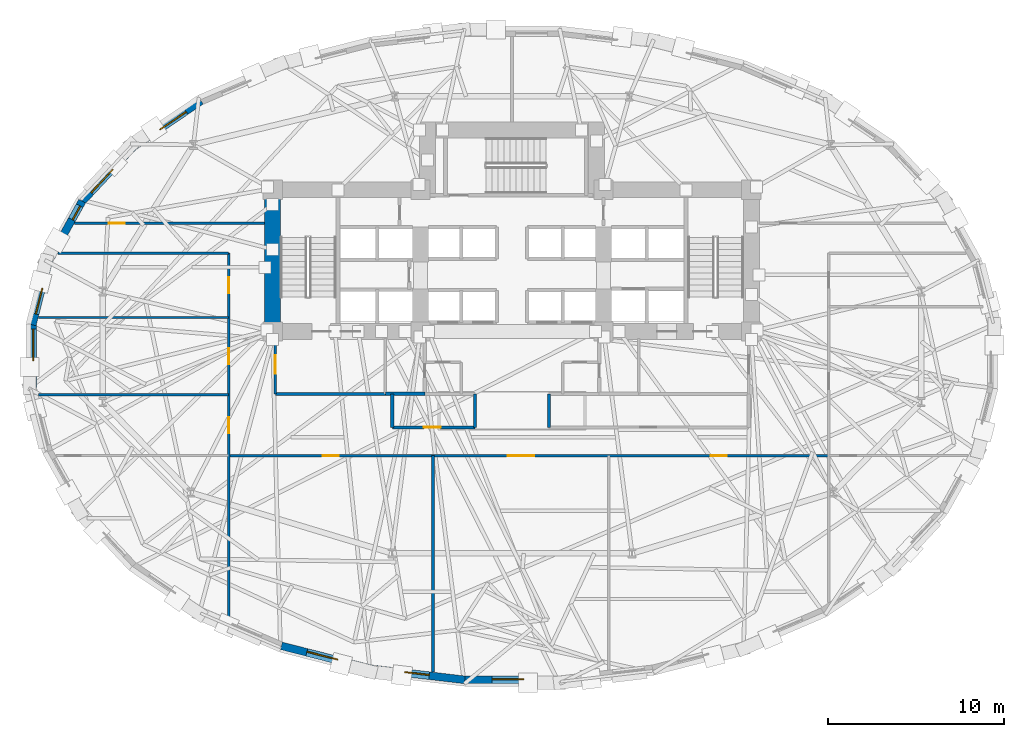
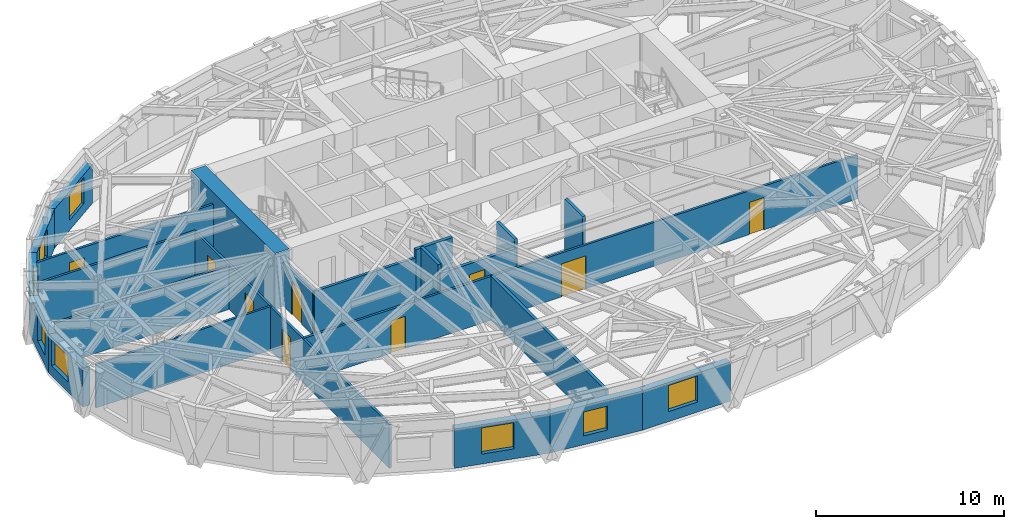
# One storey, part 6 of 14: 23 walls, 9 doors, 8 windows, 17 openings.
"""IFC4 building model written with IfcOpenShell, lengths in metres."""

from ifc_helpers import new_model, si_unit, direction, frame, frame_2d, origin, place, context, subcontext, project, spatial, rectangle, extrude, material, layer, layer_set, type_object, element, fill, save


model = new_model("IFC4")

# Units and contexts
model_context = context("Model", 3, precision=1e-05, world=origin(), true_north=direction((0.0, 1.0)))
body_context = subcontext(model_context, "Body", "Model", "MODEL_VIEW")
ifc_project = project(units=[si_unit("LENGTHUNIT", "METRE"), si_unit("AREAUNIT", "SQUARE_METRE"), si_unit("VOLUMEUNIT", "CUBIC_METRE"), si_unit("PLANEANGLEUNIT", "RADIAN"), si_unit("MASSUNIT", "GRAM", prefix="KILO")], contexts=[model_context])

# Site, building, storey
site_placement = place(None, origin())
site = spatial("IfcSite", under=ifc_project, at=site_placement, CompositionType="ELEMENT")
building_placement = place(site_placement, origin())
building = spatial("IfcBuilding", under=site, at=building_placement, Name="Keldmark Tower", CompositionType="ELEMENT")
storey_placement = place(building_placement, frame((0.0, 0.0, 48.60009765625)))
storey = spatial("IfcBuildingStorey", under=building, at=storey_placement, Name="L12", CompositionType="ELEMENT", Elevation=48.60009765625)

# Wall, openings, doors
ifc_material_1 = material(Name="Acoustic Double-Layer Gypsum Corridor Partition", Category="gypsum")
ifc_layer_1 = layer(ifc_material_1, 0.139892578125)
ifc_layer_set_1 = layer_set([ifc_layer_1], Name="Acoustic Double-Layer Gypsum Corridor Partition")
wall_type_1 = type_object("IfcWallType", Name="Acoustic Corridor Partition 140 mm", PredefinedType="PARTITIONING", material=ifc_layer_set_1)
wall_1_placement = place(storey_placement, frame((-16.10009765625, -5.64990234375, 0.0), z_axis=(0.0, 0.0, 1.0), x_axis=(1.0, 0.0, 0.0)))
wall_1 = element("IfcWall", 1, at=wall_1_placement, inside=storey, type_object=wall_type_1, Name="L12 Acoustic Corridor Partition 140 mm COR-S", PredefinedType="PARTITIONING", context=body_context, shape_type="SweptSolid", body=[
    extrude(rectangle(XDim=34.10009765625, YDim=0.139892578125, at=frame_2d((17.050048828125, 0.0))), origin(), (0.0, 0.0, 1.0), 2.852783203125),
])
opening_1_placement = place(wall_1_placement, frame((5.35009765625, 0.0, 0.0)))
opening_1 = element("IfcOpeningElement", 2, at=opening_1_placement, cuts=wall_1, Name="Opening D-IN090", PredefinedType="OPENING", context=body_context, shape_type="SweptSolid", body=[
    extrude(rectangle(XDim=0.89990234375, YDim=2.10009765625, at=frame_2d((0.449951171875, 1.050048828125))), frame((0.0, 0.079833984375, 0.0), z_axis=(0.0, -1.0, 0.0), x_axis=(1.0, 0.0, 0.0)), (0.0, 0.0, 1.0), 0.159912109375),
])
opening_2_placement = place(wall_1_placement, frame((15.85009765625, 0.0, 0.0)))
opening_2 = element("IfcOpeningElement", 3, at=opening_2_placement, cuts=wall_1, Name="Opening D-CF150", PredefinedType="OPENING", context=body_context, shape_type="SweptSolid", body=[
    extrude(rectangle(XDim=1.5, YDim=2.14990234375, at=frame_2d((0.75, 1.074951171875))), frame((0.0, 0.079833984375, 0.0), z_axis=(0.0, -1.0, 0.0), x_axis=(1.0, 0.0, 0.0)), (0.0, 0.0, 1.0), 0.159912109375),
])
opening_3_placement = place(wall_1_placement, frame((27.39990234375, 0.0, 0.0)))
opening_3 = element("IfcOpeningElement", 4, at=opening_3_placement, cuts=wall_1, Name="Opening D-IN090", PredefinedType="OPENING", context=body_context, shape_type="SweptSolid", body=[
    extrude(rectangle(XDim=0.89990234375, YDim=2.10009765625, at=frame_2d((0.449951171875, 1.050048828125))), frame((0.0, 0.079833984375, 0.0), z_axis=(0.0, -1.0, 0.0), x_axis=(1.0, 0.0, 0.0)), (0.0, 0.0, 1.0), 0.159912109375),
])
ifc_material_2 = material(Name="Acoustic Timber and Tempered Glass Double Door", Category="wood")
door_type_1 = type_object("IfcDoorType", Name="Conference Double Door 1500x2150", OperationType="DOUBLE_DOOR_SINGLE_SWING", PredefinedType="DOOR", material=ifc_material_2)
door_1_placement = place(opening_2_placement, origin())
door_1 = element("IfcDoor", 5, at=door_1_placement, inside=storey, type_object=door_type_1, Name="L12 Conference Double Door 1500x2150 D-SR-2-L12", OperationType="DOUBLE_DOOR_SINGLE_SWING", OverallHeight=2.14990234375, OverallWidth=1.5, PredefinedType="DOOR", context=body_context, shape_type="SweptSolid", body=[
    extrude(rectangle(XDim=1.5, YDim=2.14990234375, at=frame_2d((0.75, 1.074951171875))), frame((0.0, 0.02490234375, 0.0), z_axis=(0.0, -1.0, 0.0), x_axis=(1.0, 0.0, 0.0)), (0.0, 0.0, 1.0), 0.050048828125),
])
fill(opening_2, door_1)
ifc_material_3 = material(Name="Stained American White Oak Veneer", Category="wood")
door_type_2 = type_object("IfcDoorType", Name="Interior Door 900x2100", OperationType="NOTDEFINED", PredefinedType="DOOR", material=ifc_material_3)
door_2_placement = place(opening_1_placement, origin())
door_2 = element("IfcDoor", 6, at=door_2_placement, inside=storey, type_object=door_type_2, Name="L12 Interior Door 900x2100 D-SR-1-L12", OperationType="SINGLE_SWING_LEFT", OverallHeight=2.10009765625, OverallWidth=0.89990234375, PredefinedType="DOOR", context=body_context, shape_type="SweptSolid", body=[
    extrude(rectangle(XDim=0.89990234375, YDim=2.10009765625, at=frame_2d((0.449951171875, 1.050048828125))), frame((0.0, 0.02490234375, 0.0), z_axis=(0.0, -1.0, 0.0), x_axis=(1.0, 0.0, 0.0)), (0.0, 0.0, 1.0), 0.050048828125),
])
fill(opening_1, door_2)
door_3_placement = place(opening_3_placement, origin())
door_3 = element("IfcDoor", 7, at=door_3_placement, inside=storey, type_object=door_type_2, Name="L12 Interior Door 900x2100 D-SR-3-L12", OperationType="SINGLE_SWING_LEFT", OverallHeight=2.10009765625, OverallWidth=0.89990234375, PredefinedType="DOOR", context=body_context, shape_type="SweptSolid", body=[
    extrude(rectangle(XDim=0.89990234375, YDim=2.10009765625, at=frame_2d((0.449951171875, 1.050048828125))), frame((0.0, 0.02490234375, 0.0), z_axis=(0.0, -1.0, 0.0), x_axis=(1.0, 0.0, 0.0)), (0.0, 0.0, 1.0), 0.050048828125),
])
fill(opening_3, door_3)

wall_2_placement = place(storey_placement, frame((-16.10009765625, -14.922119140625, 0.0), z_axis=(0.0, 0.0, 1.0), x_axis=(0.0, 1.0, 0.0)))
wall_2 = element("IfcWall", 8, at=wall_2_placement, inside=storey, type_object=wall_type_1, Name="L12 Acoustic Corridor Partition 140 mm COR-W", PredefinedType="PARTITIONING", context=body_context, shape_type="SweptSolid", body=[
    extrude(rectangle(XDim=20.772216796875, YDim=0.139892578125, at=frame_2d((10.38623046875, 0.0))), origin(), (0.0, 0.0, 1.0), 2.8408203125),
])
opening_4_placement = place(wall_2_placement, frame((10.54736328125, 0.0, 0.0)))
opening_4 = element("IfcOpeningElement", 9, at=opening_4_placement, cuts=wall_2, Name="Opening D-IN090", PredefinedType="OPENING", context=body_context, shape_type="SweptSolid", body=[
    extrude(rectangle(XDim=0.89990234375, YDim=2.10009765625, at=frame_2d((0.449951171875, 1.050048828125))), frame((0.0, 0.079833984375, 0.0), z_axis=(0.0, -1.0, 0.0), x_axis=(1.0, 0.0, 0.0)), (0.0, 0.0, 1.0), 0.159912109375),
])
opening_5_placement = place(wall_2_placement, frame((14.472412109375, 0.0, 0.0)))
opening_5 = element("IfcOpeningElement", 10, at=opening_5_placement, cuts=wall_2, Name="Opening D-IN090", PredefinedType="OPENING", context=body_context, shape_type="SweptSolid", body=[
    extrude(rectangle(XDim=0.89990234375, YDim=2.10009765625, at=frame_2d((0.449951171875, 1.050048828125))), frame((0.0, 0.079833984375, 0.0), z_axis=(0.0, -1.0, 0.0), x_axis=(1.0, 0.0, 0.0)), (0.0, 0.0, 1.0), 0.159912109375),
])
opening_6_placement = place(wall_2_placement, frame((18.497314453125, 0.0, 0.0)))
opening_6 = element("IfcOpeningElement", 11, at=opening_6_placement, cuts=wall_2, Name="Opening D-IN090", PredefinedType="OPENING", context=body_context, shape_type="SweptSolid", body=[
    extrude(rectangle(XDim=0.89990234375, YDim=2.10009765625, at=frame_2d((0.449951171875, 1.050048828125))), frame((0.0, 0.079833984375, 0.0), z_axis=(0.0, -1.0, 0.0), x_axis=(1.0, 0.0, 0.0)), (0.0, 0.0, 1.0), 0.159912109375),
])
door_4_placement = place(opening_4_placement, origin())
door_4 = element("IfcDoor", 12, at=door_4_placement, inside=storey, type_object=door_type_2, Name="L12 Interior Door 900x2100 D-WR-1-L12", OperationType="SINGLE_SWING_RIGHT", OverallHeight=2.10009765625, OverallWidth=0.89990234375, PredefinedType="DOOR", context=body_context, shape_type="SweptSolid", body=[
    extrude(rectangle(XDim=0.89990234375, YDim=2.10009765625, at=frame_2d((0.449951171875, 1.050048828125))), frame((0.0, 0.02490234375, 0.0), z_axis=(0.0, -1.0, 0.0), x_axis=(1.0, 0.0, 0.0)), (0.0, 0.0, 1.0), 0.050048828125),
])
fill(opening_4, door_4)
door_5_placement = place(opening_5_placement, origin())
door_5 = element("IfcDoor", 13, at=door_5_placement, inside=storey, type_object=door_type_2, Name="L12 Interior Door 900x2100 D-WR-2-L12", OperationType="SINGLE_SWING_RIGHT", OverallHeight=2.10009765625, OverallWidth=0.89990234375, PredefinedType="DOOR", context=body_context, shape_type="SweptSolid", body=[
    extrude(rectangle(XDim=0.89990234375, YDim=2.10009765625, at=frame_2d((0.449951171875, 1.050048828125))), frame((0.0, 0.02490234375, 0.0), z_axis=(0.0, -1.0, 0.0), x_axis=(1.0, 0.0, 0.0)), (0.0, 0.0, 1.0), 0.050048828125),
])
fill(opening_5, door_5)
door_6_placement = place(opening_6_placement, origin())
door_6 = element("IfcDoor", 14, at=door_6_placement, inside=storey, type_object=door_type_2, Name="L12 Interior Door 900x2100 D-WR-3-L12", OperationType="SINGLE_SWING_LEFT", OverallHeight=2.10009765625, OverallWidth=0.89990234375, PredefinedType="DOOR", context=body_context, shape_type="SweptSolid", body=[
    extrude(rectangle(XDim=0.89990234375, YDim=2.10009765625, at=frame_2d((0.449951171875, 1.050048828125))), frame((0.0, 0.02490234375, 0.0), z_axis=(0.0, -1.0, 0.0), x_axis=(1.0, 0.0, 0.0)), (0.0, 0.0, 1.0), 0.050048828125),
])
fill(opening_6, door_6)

# Wall, opening, door
wall_3_placement = place(storey_placement, frame((-24.85595703125, 7.550048828125, 0.0), z_axis=(0.0, 0.0, 1.0), x_axis=(1.0, 0.0, 0.0)))
wall_3 = element("IfcWall", 15, at=wall_3_placement, inside=storey, type_object=wall_type_1, Name="L12 Acoustic Corridor Partition 140 mm COR-WN-CAP", PredefinedType="PARTITIONING", context=body_context, shape_type="SweptSolid", body=[
    extrude(rectangle(XDim=10.805908203125, YDim=0.139892578125, at=frame_2d((5.40283203125, 0.0))), origin(), (0.0, 0.0, 1.0), 2.852783203125),
])
opening_7_placement = place(wall_3_placement, frame((1.939208984375, 0.0, 0.0)))
opening_7 = element("IfcOpeningElement", 16, at=opening_7_placement, cuts=wall_3, Name="Opening D-EX092", PredefinedType="OPENING", context=body_context, shape_type="SweptSolid", body=[
    extrude(rectangle(XDim=0.919921875, YDim=2.14990234375, at=frame_2d((0.4599609375, 1.074951171875))), frame((0.0, 0.079833984375, 0.0), z_axis=(0.0, -1.0, 0.0), x_axis=(1.0, 0.0, 0.0)), (0.0, 0.0, 1.0), 0.159912109375),
])
ifc_material_4 = material(Name="Flush American Ash Executive Office Door", Category="wood")
door_type_3 = type_object("IfcDoorType", Name="Executive Office Door 920x2150", OperationType="NOTDEFINED", PredefinedType="DOOR", material=ifc_material_4)
door_7_placement = place(opening_7_placement, origin())
door_7 = element("IfcDoor", 17, at=door_7_placement, inside=storey, type_object=door_type_3, Name="L12 Executive Office Door 920x2150 D-NRNW-L12", OperationType="SINGLE_SWING_LEFT", OverallHeight=2.14990234375, OverallWidth=0.919921875, PredefinedType="DOOR", context=body_context, shape_type="SweptSolid", body=[
    extrude(rectangle(XDim=0.919921875, YDim=2.14990234375, at=frame_2d((0.4599609375, 1.074951171875))), frame((0.0, 0.02490234375, 0.0), z_axis=(0.0, -1.0, 0.0), x_axis=(1.0, 0.0, 0.0)), (0.0, 0.0, 1.0), 0.050048828125),
])
fill(opening_7, door_7)

# Walls
wall_4_placement = place(storey_placement, frame((-25.8046875, 5.85009765625, 0.0), z_axis=(0.0, 0.0, 1.0), x_axis=(1.0, 0.0, 0.0)))
element("IfcWall", 18, at=wall_4_placement, inside=storey, type_object=wall_type_1, Name="L12 Acoustic Corridor Partition 140 mm COR-WA-S", PredefinedType="PARTITIONING", context=body_context, shape_type="SweptSolid", body=[
    extrude(rectangle(XDim=9.70458984375, YDim=0.139892578125, at=frame_2d((4.852294921875, 0.0))), origin(), (0.0, 0.0, 1.0), 2.852783203125),
])
ifc_material_5 = material(Name="STC-58 Insulated Tenant Demising Gypsum Partition", Category="gypsum")
ifc_layer_2 = layer(ifc_material_5, 0.175048828125)
ifc_layer_set_2 = layer_set([ifc_layer_2], Name="STC-58 Insulated Tenant Demising Gypsum Partition")
wall_type_2 = type_object("IfcWallType", Name="Demising Suite Partition 175 mm", PredefinedType="PARTITIONING", material=ifc_layer_set_2)
wall_5_placement = place(storey_placement, frame((-4.5, -17.94921875, 0.0), z_axis=(0.0, 0.0, 1.0), x_axis=(0.0, 1.0, 0.0)))
element("IfcWall", 19, at=wall_5_placement, inside=storey, type_object=wall_type_2, Name="L12 Demising Suite Partition 175 mm S-DIV-1", PredefinedType="PARTITIONING", context=body_context, shape_type="SweptSolid", body=[
    extrude(rectangle(XDim=12.29931640625, YDim=0.175048828125, at=frame_2d((6.149658203125, 0.0))), origin(), (0.0, 0.0, 1.0), 2.852783203125),
])

# Wall, opening, door
ifc_material_6 = material(Name="Heavy Acoustic Plumbing Chase Gypsum Assembly", Category="gypsum")
ifc_layer_3 = layer(ifc_material_6, 0.18994140625)
ifc_layer_set_3 = layer_set([ifc_layer_3], Name="Heavy Acoustic Plumbing Chase Gypsum Assembly")
wall_type_3 = type_object("IfcWallType", Name="Heavy Wet Wall 190 mm", PredefinedType="PLUMBINGWALL", material=ifc_layer_set_3)
wall_6_placement = place(storey_placement, frame((-6.800048828125, -4.050048828125, 0.0), z_axis=(0.0, 0.0, 1.0), x_axis=(1.0, 0.0, 0.0)))
wall_6 = element("IfcWall", 20, at=wall_6_placement, inside=storey, type_object=wall_type_3, Name="L12 Heavy Wet Wall 190 mm SPK-W-S", PredefinedType="PLUMBINGWALL", context=body_context, shape_type="SweptSolid", body=[
    extrude(rectangle(XDim=4.699951171875, YDim=0.18994140625, at=frame_2d((2.35009765625, 0.0))), origin(), (0.0, 0.0, 1.0), 2.852783203125),
])
opening_8_placement = place(wall_6_placement, frame((1.800048828125, 0.0, 0.0)))
opening_8 = element("IfcOpeningElement", 21, at=opening_8_placement, cuts=wall_6, Name="Opening D-AWC95", PredefinedType="OPENING", context=body_context, shape_type="SweptSolid", body=[
    extrude(rectangle(XDim=0.949951171875, YDim=2.14990234375, at=frame_2d((0.47509765625, 1.074951171875))), frame((0.0, 0.10498046875, 0.0), z_axis=(0.0, -1.0, 0.0), x_axis=(1.0, 0.0, 0.0)), (0.0, 0.0, 1.0), 0.2099609375),
])
ifc_material_7 = material(Name="Painted Solid-Core Architectural Wood", Category="wood")
door_type_4 = type_object("IfcDoorType", Name="Accessible WC Door 950x2150", OperationType="NOTDEFINED", PredefinedType="DOOR", material=ifc_material_7)
door_8_placement = place(opening_8_placement, origin())
door_8 = element("IfcDoor", 22, at=door_8_placement, inside=storey, type_object=door_type_4, Name="L12 Accessible WC Door 950x2150 D-SPKW1-L12", OperationType="SINGLE_SWING_LEFT", OverallHeight=2.14990234375, OverallWidth=0.949951171875, PredefinedType="DOOR", context=body_context, shape_type="SweptSolid", body=[
    extrude(rectangle(XDim=0.949951171875, YDim=2.14990234375, at=frame_2d((0.47509765625, 1.074951171875))), frame((0.0, 0.02490234375, 0.0), z_axis=(0.0, -1.0, 0.0), x_axis=(1.0, 0.0, 0.0)), (0.0, 0.0, 1.0), 0.050048828125),
])
fill(opening_8, door_8)

# Walls
for number, where, z_axis, x_axis, name in (
    (23, (-6.800048828125, -4.050048828125, 0.0), (0.0, 0.0, 1.0), (0.0, 1.0, 0.0), "L12 Heavy Wet Wall 190 mm SPK-W-W"),
    (24, (-2.10009765625, -4.050048828125, 0.0), (0.0, 0.0, 1.0), (0.0, 1.0, 0.0), "L12 Heavy Wet Wall 190 mm SPK-W-E"),
    (25, (2.10009765625, -4.050048828125, 0.0), (0.0, 0.0, 1.0), (0.0, 1.0, 0.0), "L12 Heavy Wet Wall 190 mm SPK-E-W"),
):
    element("IfcWall", number, at=place(storey_placement, frame(where, z_axis=z_axis, x_axis=x_axis)), inside=storey, type_object=wall_type_3, Name=name, PredefinedType="PLUMBINGWALL", context=body_context, shape_type="SweptSolid", body=[
        extrude(rectangle(XDim=1.900146484375, YDim=0.18994140625, at=frame_2d((0.9501953125, 0.0))), origin(), (0.0, 0.0, 1.0), 3.39990234375),
    ])
ifc_material_8 = material(Name="Acoustic Gypsum Board Interior Partition", Category="gypsum")
ifc_layer_4 = layer(ifc_material_8, 0.1298828125)
ifc_layer_set_4 = layer_set([ifc_layer_4], Name="Acoustic Gypsum Board Interior Partition")
wall_type_4 = type_object("IfcWallType", Name="Interior Partition 130 mm", PredefinedType="PARTITIONING", material=ifc_layer_set_4)
for number, where, z_axis, x_axis, name in (
    (26, (-26.909423828125, -2.199951171875, 0.0), (0.0, 0.0, 1.0), (1.0, 0.0, 0.0), "L12 Interior Partition 130 mm W-DIV-1"),
    (27, (-26.909423828125, 2.199951171875, 0.0), (0.0, 0.0, 1.0), (1.0, 0.0, 0.0), "L12 Interior Partition 130 mm W-DIV-2"),
):
    element("IfcWall", number, at=place(storey_placement, frame(where, z_axis=z_axis, x_axis=x_axis)), inside=storey, type_object=wall_type_4, Name=name, PredefinedType="PARTITIONING", context=body_context, shape_type="SweptSolid", body=[
        extrude(rectangle(XDim=10.809326171875, YDim=0.1298828125, at=frame_2d((5.40478515625, 0.0))), origin(), (0.0, 0.0, 1.0), 2.8408203125),
    ])
ifc_material_9 = material(Name="Concrete C70/85", Category="concrete")
ifc_layer_5 = layer(ifc_material_9, 0.89990234375)
ifc_layer_set_5 = layer_set([ifc_layer_5], Name="Concrete C70/85")
wall_type_5 = type_object("IfcWallType", Name="Lower Core Shear Wall 900 mm", PredefinedType="SHEAR", material=ifc_layer_set_5)
wall_7_placement = place(storey_placement, frame((-13.60009765625, 0.949951171875, 0.0), z_axis=(0.0, 0.0, 1.0), x_axis=(0.0, 1.0, 0.0)))
element("IfcWall", 28, at=wall_7_placement, inside=storey, type_object=wall_type_5, Name="L12 West Core Outer Shear Wall", PredefinedType="SHEAR", context=body_context, shape_type="SweptSolid", body=[
    extrude(rectangle(XDim=8.949951171875, YDim=0.89990234375, at=frame_2d((4.47509765625, 0.0))), origin(), (0.0, 0.0, 1.0), 3.599853515625),
])
ifc_material_10 = material(Name="Type X Fire-Rated Gypsum Partition Assembly", Category="gypsum")
ifc_layer_6 = layer(ifc_material_10, 0.1650390625)
ifc_layer_set_6 = layer_set([ifc_layer_6], Name="Type X Fire-Rated Gypsum Partition Assembly")
wall_type_6 = type_object("IfcWallType", Name="Rated Partition 165 mm", PredefinedType="PARTITIONING", material=ifc_layer_set_6)
wall_8_placement = place(storey_placement, frame((-13.449951171875, -2.14990234375, 0.0), z_axis=(0.0, 0.0, 1.0), x_axis=(1.0, 0.0, 0.0)))
element("IfcWall", 29, at=wall_8_placement, inside=storey, type_object=wall_type_6, Name="L12 Rated Partition 165 mm FSAE-W-S", PredefinedType="PARTITIONING", context=body_context, shape_type="SweptSolid", body=[
    extrude(rectangle(XDim=6.25, YDim=0.1650390625, at=frame_2d((3.125, 0.0))), origin(), (0.0, 0.0, 1.0), 2.852783203125),
])

# Wall, opening, door
wall_9_placement = place(storey_placement, frame((-13.449951171875, -2.14990234375, 0.0), z_axis=(0.0, 0.0, 1.0), x_axis=(0.0, 1.0, 0.0)))
wall_9 = element("IfcWall", 30, at=wall_9_placement, inside=storey, type_object=wall_type_6, Name="L12 Rated Partition 165 mm FSAE-W-W", PredefinedType="PARTITIONING", context=body_context, shape_type="SweptSolid", body=[
    extrude(rectangle(XDim=3.14990234375, YDim=0.1650390625, at=frame_2d((1.574951171875, 0.0))), origin(), (0.0, 0.0, 1.0), 2.852783203125),
])
opening_9_placement = place(wall_9_placement, frame((1.14990234375, 0.0, 0.0)))
opening_9 = element("IfcOpeningElement", 31, at=opening_9_placement, cuts=wall_9, Name="Opening D-FL105", PredefinedType="OPENING", context=body_context, shape_type="SweptSolid", body=[
    extrude(rectangle(XDim=1.050048828125, YDim=2.14990234375, at=frame_2d((0.52490234375, 1.074951171875))), frame((0.0, 0.092529296875, 0.0), z_axis=(0.0, -1.0, 0.0), x_axis=(1.0, 0.0, 0.0)), (0.0, 0.0, 1.0), 0.18505859375),
])
ifc_material_11 = material(Name="Fire-Rated Mineral-Core Door and Vision Lite", Category="metal")
door_type_5 = type_object("IfcDoorType", Name="Fire Lobby Door 1050x2150", OperationType="NOTDEFINED", PredefinedType="DOOR", material=ifc_material_11)
door_9_placement = place(opening_9_placement, origin())
door_9 = element("IfcDoor", 32, at=door_9_placement, inside=storey, type_object=door_type_5, Name="L12 Fire Lobby Door 1050x2150 D-FSAEW-OUT-L12", OperationType="SINGLE_SWING_LEFT", OverallHeight=2.14990234375, OverallWidth=1.050048828125, PredefinedType="DOOR", context=body_context, shape_type="SweptSolid", body=[
    extrude(rectangle(XDim=1.050048828125, YDim=2.14990234375, at=frame_2d((0.52490234375, 1.074951171875))), frame((0.0, 0.02490234375, 0.0), z_axis=(0.0, -1.0, 0.0), x_axis=(1.0, 0.0, 0.0)), (0.0, 0.0, 1.0), 0.050048828125),
])
fill(opening_9, door_9)

# Wall
ifc_material_12 = material(Name="Fire-Resistant Type X Gypsum Shaftliner Coreboard", Category="gypsum")
ifc_layer_7 = layer(ifc_material_12, 0.199951171875)
ifc_layer_set_7 = layer_set([ifc_layer_7], Name="Fire-Resistant Type X Gypsum Shaftliner Coreboard")
wall_type_7 = type_object("IfcWallType", Name="Shaft Wall 200 mm", PredefinedType="SOLIDWALL", material=ifc_layer_set_7)
wall_10_placement = place(storey_placement, frame((-7.199951171875, -2.14990234375, 0.0), z_axis=(0.0, 0.0, 1.0), x_axis=(1.0, 0.0, 0.0)))
element("IfcWall", 33, at=wall_10_placement, inside=storey, type_object=wall_type_7, Name="L12 Shaft Wall 200 mm RIS-SW-S", PredefinedType="SOLIDWALL", context=body_context, shape_type="SweptSolid", body=[
    extrude(rectangle(XDim=2.25, YDim=0.199951171875, at=frame_2d((1.125, 0.0))), origin(), (0.0, 0.0, 1.0), 3.39990234375),
])

# Wall, opening, window
ifc_material_13 = material(Name="Ironspot Manganese Brick and Kasota Buff Limestone Spandrel Assembly", Category="masonry")
ifc_layer_8 = layer(ifc_material_13, 0.43994140625)
ifc_layer_set_8 = layer_set([ifc_layer_8], Name="Ironspot Manganese Brick and Kasota Buff Limestone Spandrel Assembly")
wall_type_8 = type_object("IfcWallType", Name="Tower Brick Pier and Spandrel Wall 440 mm", PredefinedType="STANDARD", material=ifc_layer_set_8)
wall_11_placement = place(storey_placement, frame((-21.54931640625, 11.8701171875, 0.0), z_axis=(0.0, 0.0, 1.0), x_axis=(0.827825981515, 0.560984976919, 0.0)))
wall_11 = element("IfcWall", 34, at=wall_11_placement, inside=storey, type_object=wall_type_8, Name="L12 Exterior Brick and Spandrel Wall 12", PredefinedType="STANDARD", context=body_context, shape_type="SweptSolid", body=[
    extrude(rectangle(XDim=4.694580078125, YDim=0.43994140625, at=frame_2d((2.34716796875, 0.0))), origin(), (0.0, 0.0, 1.0), 2.52880859375),
])
opening_10_placement = place(wall_11_placement, frame((1.846435546875, 0.0, 0.64990234375)))
opening_10 = element("IfcOpeningElement", 35, at=opening_10_placement, cuts=wall_11, Name="Opening W-02", PredefinedType="OPENING", context=body_context, shape_type="SweptSolid", body=[
    extrude(rectangle(XDim=1.800048828125, YDim=1.699951171875, at=frame_2d((0.89990234375, 0.85009765625))), frame((0.0, 0.22998046875, 0.0), z_axis=(0.0, -1.0, 0.0), x_axis=(1.0, 0.0, 0.0)), (0.0, 0.0, 1.0), 0.4599609375),
])
ifc_material_14 = material(Name="Thermally Broken Anodized Aluminum and Triple Low-E Argon Glazing", Category="aluminium")
window_type_1 = type_object("IfcWindowType", Name="Office Deep-Set Triple Window 1800x1700", PartitioningType="TRIPLE_PANEL_VERTICAL", PredefinedType="WINDOW", material=ifc_material_14)
window_1_placement = place(opening_10_placement, origin())
window_1 = element("IfcWindow", 36, at=window_1_placement, inside=storey, type_object=window_type_1, Name="L12 Deep-Set Window 12", OverallHeight=1.699951171875, OverallWidth=1.800048828125, PartitioningType="SINGLE_PANEL", PredefinedType="WINDOW", context=body_context, shape_type="SweptSolid", body=[
    extrude(rectangle(XDim=1.800048828125, YDim=1.699951171875, at=frame_2d((0.89990234375, 0.85009765625))), frame((0.0, -0.010009765625, 0.0), z_axis=(0.0, -1.0, 0.0), x_axis=(1.0, 0.0, 0.0)), (0.0, 0.0, 1.0), 0.06005859375),
])
fill(opening_10, window_1)

wall_12_placement = place(storey_placement, frame((-24.44775390625, 8.7626953125, 0.0), z_axis=(0.0, 0.0, 1.0), x_axis=(0.68299392258, 0.730424056093, 0.0)))
wall_12 = element("IfcWall", 37, at=wall_12_placement, inside=storey, type_object=wall_type_8, Name="L12 Exterior Brick and Spandrel Wall 13", PredefinedType="STANDARD", context=body_context, shape_type="SweptSolid", body=[
    extrude(rectangle(XDim=4.298095703125, YDim=0.43994140625, at=frame_2d((2.14892578125, 0.0))), origin(), (0.0, 0.0, 1.0), 2.52880859375),
])
opening_11_placement = place(wall_12_placement, frame((0.74951171875, 0.0, 0.64990234375)))
opening_11 = element("IfcOpeningElement", 38, at=opening_11_placement, cuts=wall_12, Name="Opening W-02", PredefinedType="OPENING", context=body_context, shape_type="SweptSolid", body=[
    extrude(rectangle(XDim=1.800048828125, YDim=1.699951171875, at=frame_2d((0.89990234375, 0.85009765625))), frame((0.0, 0.22998046875, 0.0), z_axis=(0.0, -1.0, 0.0), x_axis=(1.0, 0.0, 0.0)), (0.0, 0.0, 1.0), 0.4599609375),
])
window_2_placement = place(opening_11_placement, origin())
window_2 = element("IfcWindow", 39, at=window_2_placement, inside=storey, type_object=window_type_1, Name="L12 Deep-Set Window 13", OverallHeight=1.699951171875, OverallWidth=1.800048828125, PartitioningType="SINGLE_PANEL", PredefinedType="WINDOW", context=body_context, shape_type="SweptSolid", body=[
    extrude(rectangle(XDim=1.800048828125, YDim=1.699951171875, at=frame_2d((0.89990234375, 0.85009765625))), frame((0.0, -0.010009765625, 0.0), z_axis=(0.0, -1.0, 0.0), x_axis=(1.0, 0.0, 0.0)), (0.0, 0.0, 1.0), 0.06005859375),
])
fill(opening_11, window_2)

wall_13_placement = place(storey_placement, frame((-26.34619140625, 5.347900390625, 0.0), z_axis=(0.0, 0.0, 1.0), x_axis=(0.487369438963, 0.873195871477, 0.0)))
wall_13 = element("IfcWall", 40, at=wall_13_placement, inside=storey, type_object=wall_type_8, Name="L12 Exterior Brick and Spandrel Wall 14", PredefinedType="STANDARD", context=body_context, shape_type="SweptSolid", body=[
    extrude(rectangle(XDim=3.9599609375, YDim=0.43994140625, at=frame_2d((1.97998046875, 0.0))), origin(), (0.0, 0.0, 1.0), 2.52880859375),
])
opening_12_placement = place(wall_13_placement, frame((2.761474609375, 0.0, 0.580078125)))
opening_12 = element("IfcOpeningElement", 41, at=opening_12_placement, cuts=wall_13, Name="Opening W-09", PredefinedType="OPENING", context=body_context, shape_type="SweptSolid", body=[
    extrude(rectangle(XDim=0.89990234375, YDim=1.35009765625, at=frame_2d((0.449951171875, 0.675048828125))), frame((0.0, 0.22998046875, 0.0), z_axis=(0.0, -1.0, 0.0), x_axis=(1.0, 0.0, 0.0)), (0.0, 0.0, 1.0), 0.4599609375),
])
ifc_material_15 = material(Name="Thermally Broken Anodized Aluminum and Triple Low-E Argon Glazing", Category="aluminium")
window_type_2 = type_object("IfcWindowType", Name="Corner Pier Deep-Set Window 900x1350", PartitioningType="SINGLE_PANEL", PredefinedType="WINDOW", material=ifc_material_15)
window_3_placement = place(opening_12_placement, origin())
window_3 = element("IfcWindow", 42, at=window_3_placement, inside=storey, type_object=window_type_2, Name="L12 Deep-Set Window 14", OverallHeight=1.35009765625, OverallWidth=0.89990234375, PartitioningType="SINGLE_PANEL", PredefinedType="WINDOW", context=body_context, shape_type="SweptSolid", body=[
    extrude(rectangle(XDim=0.89990234375, YDim=1.35009765625, at=frame_2d((0.449951171875, 0.675048828125))), frame((0.0, -0.010009765625, 0.0), z_axis=(0.0, -1.0, 0.0), x_axis=(1.0, 0.0, 0.0)), (0.0, 0.0, 1.0), 0.06005859375),
])
fill(opening_12, window_3)

wall_14_placement = place(storey_placement, frame((-27.252685546875, 1.7783203125, 0.0), z_axis=(0.0, 0.0, 1.0), x_axis=(0.248062710061, 0.968743976434, 0.0)))
wall_14 = element("IfcWall", 43, at=wall_14_placement, inside=storey, type_object=wall_type_8, Name="L12 Exterior Brick and Spandrel Wall 15", PredefinedType="STANDARD", context=body_context, shape_type="SweptSolid", body=[
    extrude(rectangle(XDim=3.739013671875, YDim=0.43994140625, at=frame_2d((1.86962890625, 0.0))), origin(), (0.0, 0.0, 1.0), 2.52880859375),
])
opening_13_placement = place(wall_14_placement, frame((0.647216796875, 0.0, 0.64990234375)))
opening_13 = element("IfcOpeningElement", 44, at=opening_13_placement, cuts=wall_14, Name="Opening W-03", PredefinedType="OPENING", context=body_context, shape_type="SweptSolid", body=[
    extrude(rectangle(XDim=1.5, YDim=1.699951171875, at=frame_2d((0.75, 0.85009765625))), frame((0.0, 0.22998046875, 0.0), z_axis=(0.0, -1.0, 0.0), x_axis=(1.0, 0.0, 0.0)), (0.0, 0.0, 1.0), 0.4599609375),
])
ifc_material_16 = material(Name="Thermally Broken Anodized Aluminum and Triple Low-E Argon Glazing", Category="aluminium")
window_type_3 = type_object("IfcWindowType", Name="Office Corner Deep-Set Window 1500x1700", PartitioningType="DOUBLE_PANEL_VERTICAL", PredefinedType="WINDOW", material=ifc_material_16)
window_4_placement = place(opening_13_placement, origin())
window_4 = element("IfcWindow", 45, at=window_4_placement, inside=storey, type_object=window_type_3, Name="L12 Deep-Set Window 15", OverallHeight=1.699951171875, OverallWidth=1.5, PartitioningType="SINGLE_PANEL", PredefinedType="WINDOW", context=body_context, shape_type="SweptSolid", body=[
    extrude(rectangle(XDim=1.5, YDim=1.699951171875, at=frame_2d((0.75, 0.85009765625))), frame((0.0, -0.010009765625, 0.0), z_axis=(0.0, -1.0, 0.0), x_axis=(1.0, 0.0, 0.0)), (0.0, 0.0, 1.0), 0.06005859375),
])
fill(opening_13, window_4)

wall_15_placement = place(storey_placement, frame((-27.245849609375, -1.8330078125, 0.0), z_axis=(0.0, 0.0, 1.0), x_axis=(0.0, 1.0, 0.0)))
wall_15 = element("IfcWall", 46, at=wall_15_placement, inside=storey, type_object=wall_type_8, Name="L12 Exterior Brick and Spandrel Wall 16", PredefinedType="STANDARD", context=body_context, shape_type="SweptSolid", body=[
    extrude(rectangle(XDim=3.666015625, YDim=0.43994140625, at=frame_2d((1.8330078125, 0.0))), origin(), (0.0, 0.0, 1.0), 2.52880859375),
])
opening_14_placement = place(wall_15_placement, frame((1.568359375, 0.0, 0.64990234375)))
opening_14 = element("IfcOpeningElement", 47, at=opening_14_placement, cuts=wall_15, Name="Opening W-02", PredefinedType="OPENING", context=body_context, shape_type="SweptSolid", body=[
    extrude(rectangle(XDim=1.800048828125, YDim=1.699951171875, at=frame_2d((0.89990234375, 0.85009765625))), frame((0.0, 0.22998046875, 0.0), z_axis=(0.0, -1.0, 0.0), x_axis=(1.0, 0.0, 0.0)), (0.0, 0.0, 1.0), 0.4599609375),
])
window_5_placement = place(opening_14_placement, origin())
window_5 = element("IfcWindow", 48, at=window_5_placement, inside=storey, type_object=window_type_1, Name="L12 Deep-Set Window 16", OverallHeight=1.699951171875, OverallWidth=1.800048828125, PartitioningType="SINGLE_PANEL", PredefinedType="WINDOW", context=body_context, shape_type="SweptSolid", body=[
    extrude(rectangle(XDim=1.800048828125, YDim=1.699951171875, at=frame_2d((0.89990234375, 0.85009765625))), frame((0.0, -0.010009765625, 0.0), z_axis=(0.0, -1.0, 0.0), x_axis=(1.0, 0.0, 0.0)), (0.0, 0.0, 1.0), 0.06005859375),
])
fill(opening_14, window_5)

wall_16_placement = place(storey_placement, frame((-7.99560546875, -17.76953125, 0.0), z_axis=(0.0, 0.0, 1.0), x_axis=(-0.968705592422, 0.248212560542, 0.0)))
wall_16 = element("IfcWall", 49, at=wall_16_placement, inside=storey, type_object=wall_type_8, Name="L12 Exterior Brick and Spandrel Wall 22", PredefinedType="STANDARD", context=body_context, shape_type="SweptSolid", body=[
    extrude(rectangle(XDim=5.26806640625, YDim=0.43994140625, at=frame_2d((2.634033203125, 0.0))), origin(), (0.0, 0.0, 1.0), 2.52880859375),
])
opening_15_placement = place(wall_16_placement, frame((1.9814453125, 0.0, 0.64990234375)))
opening_15 = element("IfcOpeningElement", 50, at=opening_15_placement, cuts=wall_16, Name="Opening W-02", PredefinedType="OPENING", context=body_context, shape_type="SweptSolid", body=[
    extrude(rectangle(XDim=1.800048828125, YDim=1.699951171875, at=frame_2d((0.89990234375, 0.85009765625))), frame((0.0, 0.22998046875, 0.0), z_axis=(0.0, -1.0, 0.0), x_axis=(1.0, 0.0, 0.0)), (0.0, 0.0, 1.0), 0.4599609375),
])
window_6_placement = place(opening_15_placement, origin())
window_6 = element("IfcWindow", 51, at=window_6_placement, inside=storey, type_object=window_type_1, Name="L12 Deep-Set Window 22", OverallHeight=1.699951171875, OverallWidth=1.800048828125, PartitioningType="SINGLE_PANEL", PredefinedType="WINDOW", context=body_context, shape_type="SweptSolid", body=[
    extrude(rectangle(XDim=1.800048828125, YDim=1.699951171875, at=frame_2d((0.89990234375, 0.85009765625))), frame((0.0, -0.010009765625, 0.0), z_axis=(0.0, -1.0, 0.0), x_axis=(1.0, 0.0, 0.0)), (0.0, 0.0, 1.0), 0.06005859375),
])
fill(opening_15, window_6)

wall_17_placement = place(storey_placement, frame((-2.679443359375, -18.392578125, 0.0), z_axis=(0.0, 0.0, 1.0), x_axis=(-0.993159890371, 0.116762289112, 0.0)))
wall_17 = element("IfcWall", 52, at=wall_17_placement, inside=storey, type_object=wall_type_8, Name="L12 Exterior Brick and Spandrel Wall 23", PredefinedType="STANDARD", context=body_context, shape_type="SweptSolid", body=[
    extrude(rectangle(XDim=5.382080078125, YDim=0.43994140625, at=frame_2d((2.69091796875, 0.0))), origin(), (0.0, 0.0, 1.0), 2.52880859375),
])
opening_16_placement = place(wall_17_placement, frame((2.040771484375, 0.0, 0.580078125)))
opening_16 = element("IfcOpeningElement", 53, at=opening_16_placement, cuts=wall_17, Name="Opening W-08", PredefinedType="OPENING", context=body_context, shape_type="SweptSolid", body=[
    extrude(rectangle(XDim=1.39990234375, YDim=1.550048828125, at=frame_2d((0.699951171875, 0.77490234375))), frame((0.0, 0.22998046875, 0.0), z_axis=(0.0, -1.0, 0.0), x_axis=(1.0, 0.0, 0.0)), (0.0, 0.0, 1.0), 0.4599609375),
])
ifc_material_17 = material(Name="Thermally Broken Anodized Aluminum and Triple Low-E Argon Glazing", Category="aluminium")
window_type_4 = type_object("IfcWindowType", Name="Residential Corner Punched Window 1400x1550", PartitioningType="SINGLE_PANEL", PredefinedType="WINDOW", material=ifc_material_17)
window_7_placement = place(opening_16_placement, origin())
window_7 = element("IfcWindow", 54, at=window_7_placement, inside=storey, type_object=window_type_4, Name="L12 Deep-Set Window 23", OverallHeight=1.550048828125, OverallWidth=1.39990234375, PartitioningType="SINGLE_PANEL", PredefinedType="WINDOW", context=body_context, shape_type="SweptSolid", body=[
    extrude(rectangle(XDim=1.39990234375, YDim=1.550048828125, at=frame_2d((0.699951171875, 0.77490234375))), frame((0.0, -0.010009765625, 0.0), z_axis=(0.0, -1.0, 0.0), x_axis=(1.0, 0.0, 0.0)), (0.0, 0.0, 1.0), 0.06005859375),
])
fill(opening_16, window_7)

wall_18_placement = place(storey_placement, frame((2.705078125, -18.39111328125, 0.0), z_axis=(0.0, 0.0, 1.0), x_axis=(-1.0, 0.0, 0.0)))
wall_18 = element("IfcWall", 55, at=wall_18_placement, inside=storey, type_object=wall_type_8, Name="L12 Exterior Brick and Spandrel Wall 24", PredefinedType="STANDARD", context=body_context, shape_type="SweptSolid", body=[
    extrude(rectangle(XDim=5.41015625, YDim=0.43994140625, at=frame_2d((2.705078125, 0.0))), origin(), (0.0, 0.0, 1.0), 2.52880859375),
])
opening_17_placement = place(wall_18_placement, frame((2.027587890625, 0.0, 0.64990234375)))
opening_17 = element("IfcOpeningElement", 56, at=opening_17_placement, cuts=wall_18, Name="Opening W-02", PredefinedType="OPENING", context=body_context, shape_type="SweptSolid", body=[
    extrude(rectangle(XDim=1.800048828125, YDim=1.699951171875, at=frame_2d((0.89990234375, 0.85009765625))), frame((0.0, 0.22998046875, 0.0), z_axis=(0.0, -1.0, 0.0), x_axis=(1.0, 0.0, 0.0)), (0.0, 0.0, 1.0), 0.4599609375),
])
window_8_placement = place(opening_17_placement, origin())
window_8 = element("IfcWindow", 57, at=window_8_placement, inside=storey, type_object=window_type_1, Name="L12 Deep-Set Window 24", OverallHeight=1.699951171875, OverallWidth=1.800048828125, PartitioningType="SINGLE_PANEL", PredefinedType="WINDOW", context=body_context, shape_type="SweptSolid", body=[
    extrude(rectangle(XDim=1.800048828125, YDim=1.699951171875, at=frame_2d((0.89990234375, 0.85009765625))), frame((0.0, -0.010009765625, 0.0), z_axis=(0.0, -1.0, 0.0), x_axis=(1.0, 0.0, 0.0)), (0.0, 0.0, 1.0), 0.06005859375),
])
fill(opening_17, window_8)

save(model, "model.ifc")
